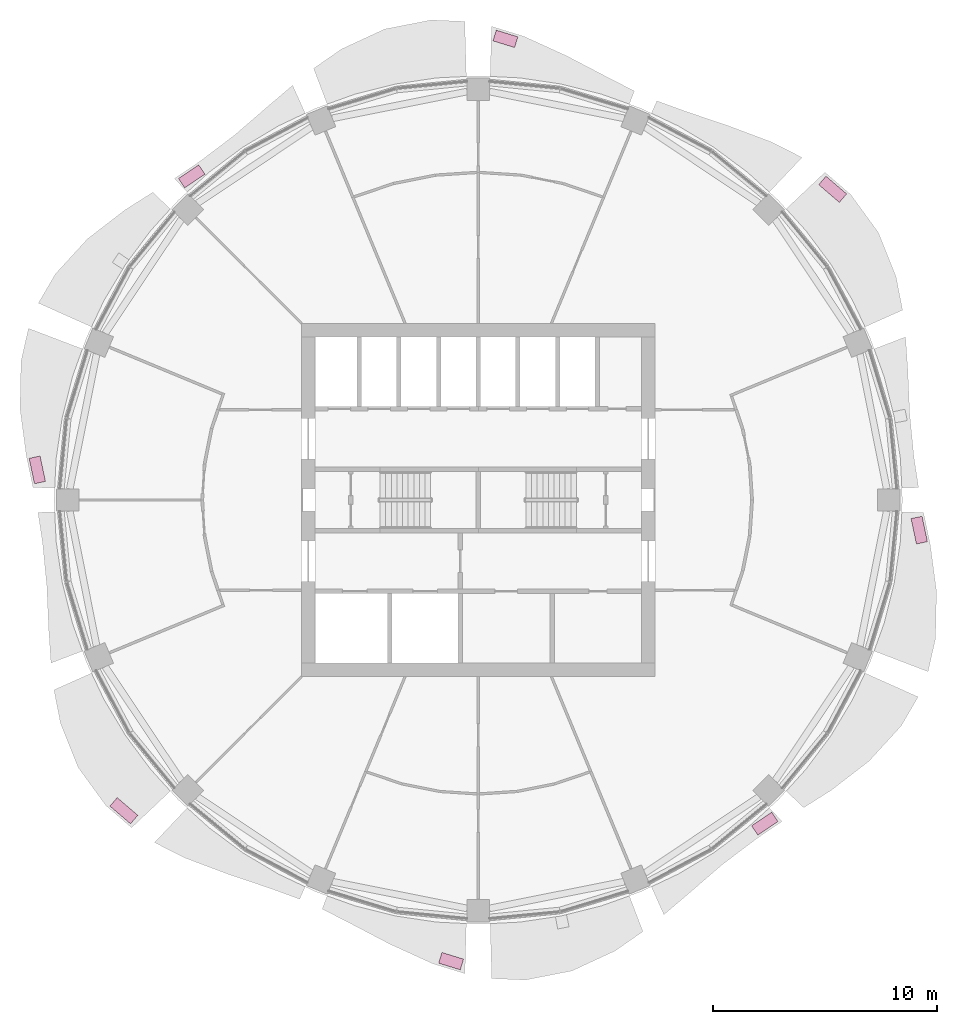
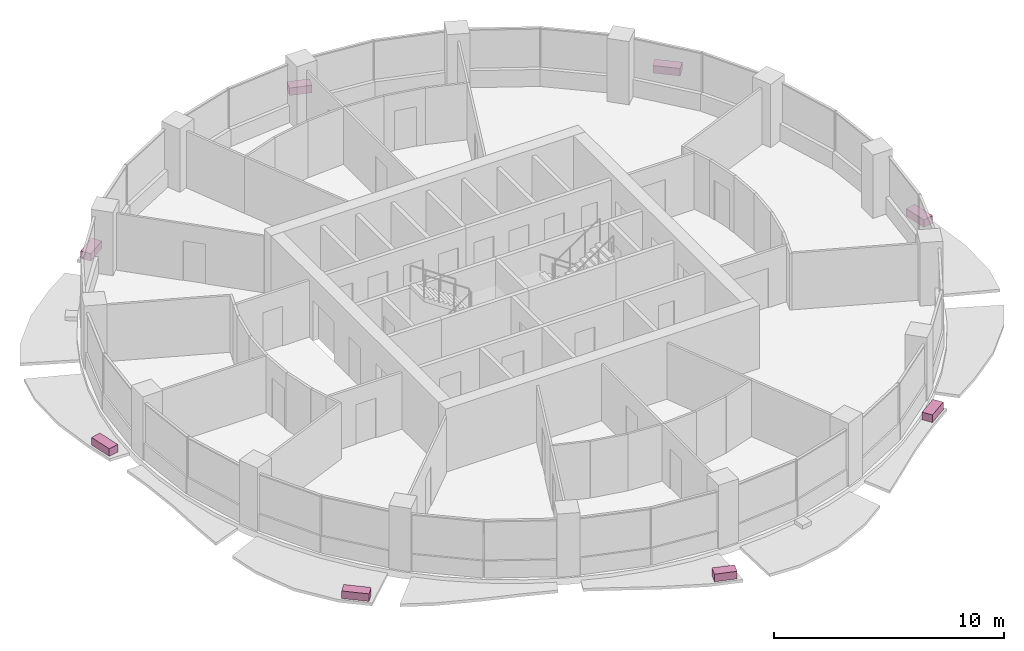
# One storey, part 14 of 14: 8 furniture elements.
"""IFC4 building model written with IfcOpenShell, lengths in metres."""

from ifc_helpers import new_model, si_unit, direction, frame, origin, origin_2d, place, context, subcontext, project, spatial, rectangle, extrude, material, type_object, element, save


model = new_model("IFC4")

# Units and contexts
model_context = context("Model", 3, precision=1e-05, world=origin(), true_north=direction((0.0, 1.0)))
body_context = subcontext(model_context, "Body", "Model", "MODEL_VIEW")
ifc_project = project(units=[si_unit("LENGTHUNIT", "METRE"), si_unit("AREAUNIT", "SQUARE_METRE"), si_unit("VOLUMEUNIT", "CUBIC_METRE"), si_unit("PLANEANGLEUNIT", "RADIAN"), si_unit("MASSUNIT", "GRAM", prefix="KILO")], contexts=[model_context])

# Site, building, storey
site_placement = place(None, origin())
site = spatial("IfcSite", under=ifc_project, at=site_placement, CompositionType="ELEMENT")
building_placement = place(site_placement, origin())
building = spatial("IfcBuilding", under=site, at=building_placement, Name="Polderwave Tower", CompositionType="ELEMENT")
storey_placement = place(building_placement, frame((0.0, 0.0, 144.39990234375)))
storey = spatial("IfcBuildingStorey", under=building, at=storey_placement, Name="L38", CompositionType="ELEMENT", Elevation=144.39990234375)

# Furniture
ifc_material = material(Name="Terracotta", Category="masonry")
furniture_type = type_object("IfcFurnitureType", Name="Terracotta planting trough", AssemblyPlace="NOTDEFINED", PredefinedType="USERDEFINED", material=ifc_material)
furniture_1_placement = place(storey_placement, frame((15.791748046875, 13.844482421875, -0.199951171875), z_axis=(0.0, 0.0, 1.0), x_axis=(-0.758501830542, 0.65167090856, 0.0)))
element("IfcFurniture", 1, at=furniture_1_placement, inside=storey, type_object=furniture_type, Name="Planting trough L38 2", ObjectType="PLANTER", PredefinedType="USERDEFINED", context=body_context, shape_type="SweptSolid", body=[
    extrude(rectangle(XDim=1.21142578125, YDim=0.5, at=origin_2d()), origin(), (0.0, 0.0, 1.0), 0.39990234375),
])
furniture_2_placement = place(storey_placement, frame((1.210693359375, 20.548583984375, -0.199951171875), z_axis=(0.0, 0.0, 1.0), x_axis=(-0.955636354244, 0.294549076467, 0.0)))
element("IfcFurniture", 2, at=furniture_2_placement, inside=storey, type_object=furniture_type, Name="Planting trough L38 4", ObjectType="PLANTER", PredefinedType="USERDEFINED", context=body_context, shape_type="SweptSolid", body=[
    extrude(rectangle(XDim=1.009033203125, YDim=0.5, at=origin_2d()), origin(), (0.0, 0.0, 1.0), 0.39990234375),
])
furniture_3_placement = place(storey_placement, frame((-12.768310546875, 14.421142578125, -0.199951171875), z_axis=(0.0, 0.0, 1.0), x_axis=(-0.826503298747, -0.562931876128, 0.0)))
element("IfcFurniture", 3, at=furniture_3_placement, inside=storey, type_object=furniture_type, Name="Planting trough L38 6", ObjectType="PLANTER", PredefinedType="USERDEFINED", context=body_context, shape_type="SweptSolid", body=[
    extrude(rectangle(XDim=1.085693359375, YDim=0.5, at=origin_2d()), origin(), (0.0, 0.0, 1.0), 0.39990234375),
])
furniture_4_placement = place(storey_placement, frame((-19.649169921875, 1.3427734375, -0.199951171875), z_axis=(0.0, 0.0, 1.0), x_axis=(0.206072681368, -0.978536688119, 0.0)))
element("IfcFurniture", 4, at=furniture_4_placement, inside=storey, type_object=furniture_type, Name="Planting trough L38 8", ObjectType="PLANTER", PredefinedType="USERDEFINED", context=body_context, shape_type="SweptSolid", body=[
    extrude(rectangle(XDim=1.15771484375, YDim=0.5, at=origin_2d()), origin(), (0.0, 0.0, 1.0), 0.39990234375),
])
furniture_5_placement = place(storey_placement, frame((-15.791748046875, -13.844482421875, -0.199951171875), z_axis=(0.0, 0.0, 1.0), x_axis=(0.758501830542, -0.65167090856, 0.0)))
element("IfcFurniture", 5, at=furniture_5_placement, inside=storey, type_object=furniture_type, Name="Planting trough L38 10", ObjectType="PLANTER", PredefinedType="USERDEFINED", context=body_context, shape_type="SweptSolid", body=[
    extrude(rectangle(XDim=1.21142578125, YDim=0.5, at=origin_2d()), origin(), (0.0, 0.0, 1.0), 0.39990234375),
])
furniture_6_placement = place(storey_placement, frame((-1.210693359375, -20.548583984375, -0.199951171875), z_axis=(0.0, 0.0, 1.0), x_axis=(0.955636354244, -0.294549076467, 0.0)))
element("IfcFurniture", 6, at=furniture_6_placement, inside=storey, type_object=furniture_type, Name="Planting trough L38 12", ObjectType="PLANTER", PredefinedType="USERDEFINED", context=body_context, shape_type="SweptSolid", body=[
    extrude(rectangle(XDim=1.009033203125, YDim=0.5, at=origin_2d()), origin(), (0.0, 0.0, 1.0), 0.39990234375),
])
furniture_7_placement = place(storey_placement, frame((12.768310546875, -14.421142578125, -0.199951171875), z_axis=(0.0, 0.0, 1.0), x_axis=(0.826503298747, 0.562931876128, 0.0)))
element("IfcFurniture", 7, at=furniture_7_placement, inside=storey, type_object=furniture_type, Name="Planting trough L38 14", ObjectType="PLANTER", PredefinedType="USERDEFINED", context=body_context, shape_type="SweptSolid", body=[
    extrude(rectangle(XDim=1.085693359375, YDim=0.5, at=origin_2d()), origin(), (0.0, 0.0, 1.0), 0.39990234375),
])
furniture_8_placement = place(storey_placement, frame((19.649169921875, -1.3427734375, -0.199951171875), z_axis=(0.0, 0.0, 1.0), x_axis=(-0.206072681368, 0.978536688119, 0.0)))
element("IfcFurniture", 8, at=furniture_8_placement, inside=storey, type_object=furniture_type, Name="Planting trough L38 16", ObjectType="PLANTER", PredefinedType="USERDEFINED", context=body_context, shape_type="SweptSolid", body=[
    extrude(rectangle(XDim=1.15771484375, YDim=0.5, at=origin_2d()), origin(), (0.0, 0.0, 1.0), 0.39990234375),
])

save(model, "model.ifc")
